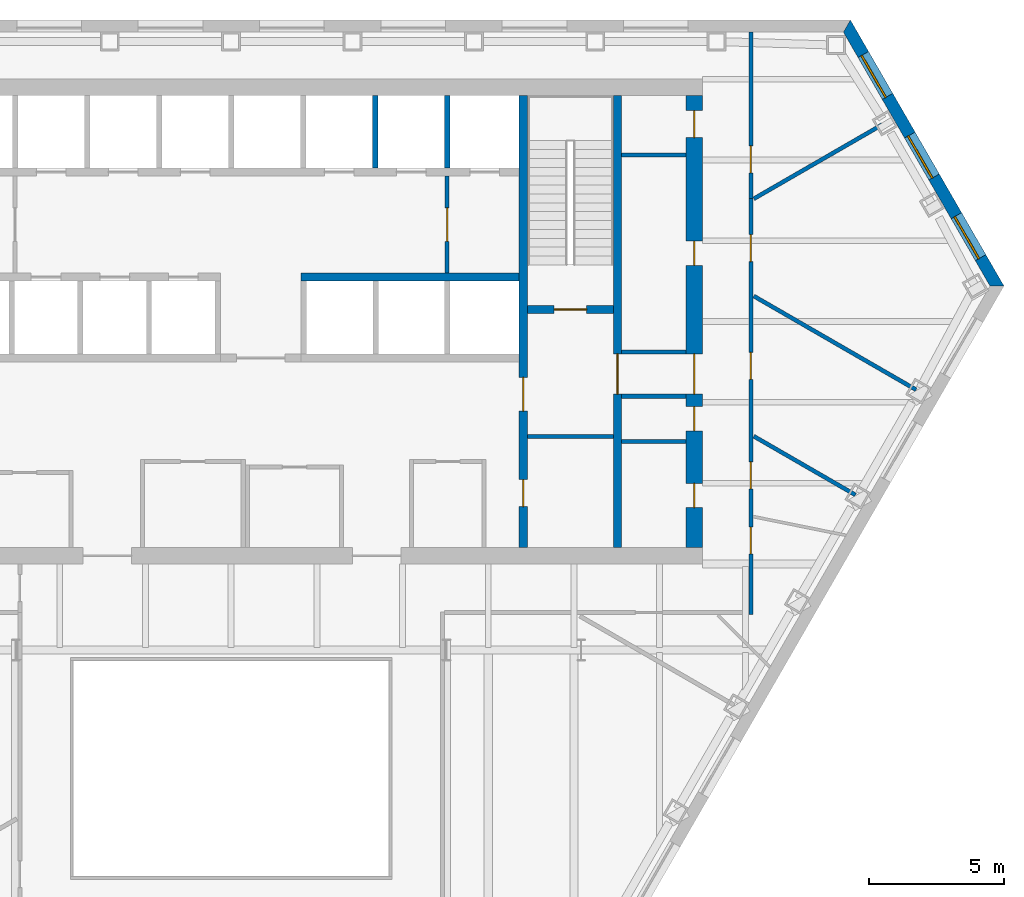
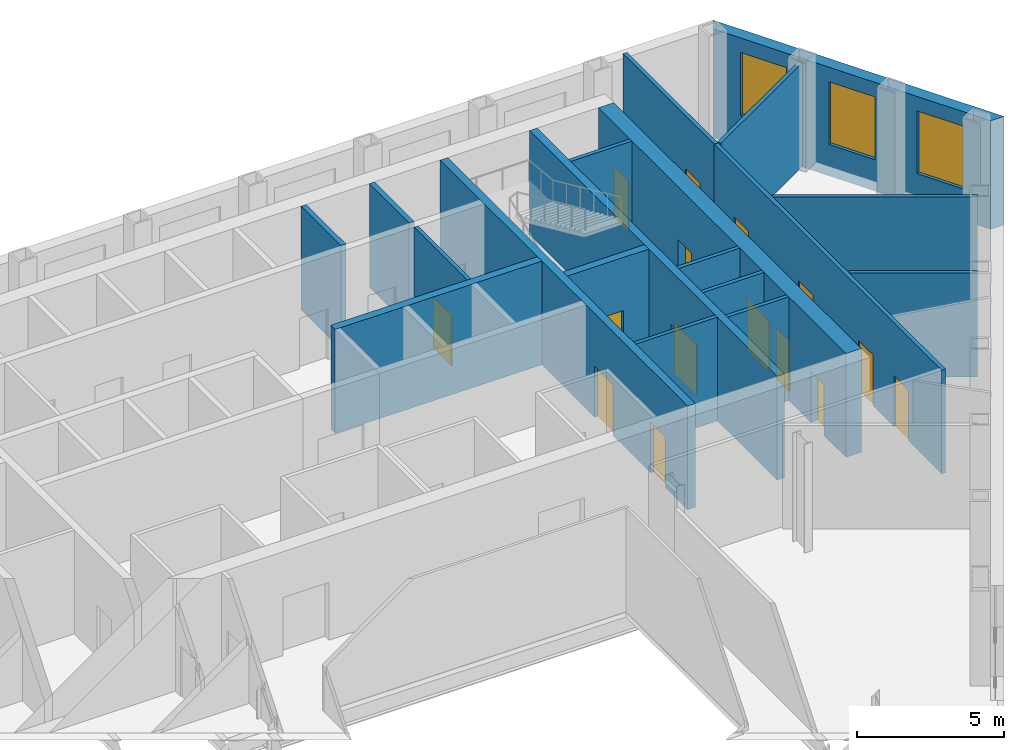
# One storey, part 8 of 11: 19 walls, 15 doors, 3 windows, 18 openings.
"""IFC4 building model written with IfcOpenShell, lengths in metres."""

from ifc_helpers import new_model, si_unit, direction, frame, frame_2d, origin, place, context, subcontext, project, spatial, polyline, rectangle, outline, extrude, material, layer, layer_set, type_object, element, fill, save


model = new_model("IFC4")

# Units and contexts
model_context = context("Model", 3, precision=1e-05, world=origin(), true_north=direction((0.0, 1.0)))
body_context = subcontext(model_context, "Body", "Model", "MODEL_VIEW")
ifc_project = project(units=[si_unit("LENGTHUNIT", "METRE"), si_unit("AREAUNIT", "SQUARE_METRE"), si_unit("VOLUMEUNIT", "CUBIC_METRE"), si_unit("PLANEANGLEUNIT", "RADIAN"), si_unit("MASSUNIT", "GRAM", prefix="KILO")], contexts=[model_context])

# Site, building, storey
site_placement = place(None, origin())
site = spatial("IfcSite", under=ifc_project, at=site_placement, CompositionType="ELEMENT")
building_placement = place(site_placement, origin())
building = spatial("IfcBuilding", under=site, at=building_placement, Name="Njiva Tower", CompositionType="ELEMENT")
storey_placement = place(building_placement, frame((0.0, 0.0, 46.8)))
storey = spatial("IfcBuildingStorey", under=building, at=storey_placement, Name="L09", CompositionType="ELEMENT", Elevation=46.8)

# Walls
ifc_material_1 = material(Name="Blockwork", Category="masonry")
ifc_layer_1 = layer(ifc_material_1, 0.15)
ifc_layer_set_1 = layer_set([ifc_layer_1], Name="Blockwork")
wall_type_1 = type_object("IfcWallType", Name="WT1 Compartment partition 150", PredefinedType="PARTITIONING", material=ifc_layer_set_1)
wall_1_placement = place(storey_placement, frame((11.0, 4.725, 0.0), z_axis=(0.0, 0.0, 1.0), x_axis=(1.0, 0.0, 0.0)))
element("IfcWall", 1, at=wall_1_placement, inside=storey, type_object=wall_type_1, Name="Room wall B", PredefinedType="PARTITIONING", context=body_context, shape_type="SweptSolid", body=[
    extrude(rectangle(XDim=3.2, YDim=0.15, at=frame_2d((1.6, 0.0))), origin(), (0.0, 0.0, 1.0), 4.3),
])
wall_2_placement = place(storey_placement, frame((14.5, 15.1914, 0.0), z_axis=(0.0, 0.0, 1.0), x_axis=(1.0, 0.0, 0.0)))
element("IfcWall", 2, at=wall_2_placement, inside=storey, type_object=wall_type_1, Name="Partition strip E10", PredefinedType="PARTITIONING", context=body_context, shape_type="SweptSolid", body=[
    extrude(rectangle(XDim=2.4, YDim=0.15, at=frame_2d((1.2, 0.0))), origin(), (0.0, 0.0, 1.0), 4.3),
])

# Wall, openings, doors
ifc_material_2 = material(Name="Concrete C40/50", Category="concrete")
ifc_layer_2 = layer(ifc_material_2, 0.3)
ifc_layer_set_2 = layer_set([ifc_layer_2], Name="Concrete C40/50")
wall_type_2 = type_object("IfcWallType", Name="WT10 Stair enclosure wall 300", PredefinedType="SHEAR", material=ifc_layer_set_2)
wall_3_placement = place(storey_placement, frame((10.85, 0.6, 0.0), z_axis=(0.0, 0.0, 1.0), x_axis=(0.0, 1.0, 0.0)))
wall_3 = element("IfcWall", 3, at=wall_3_placement, inside=storey, type_object=wall_type_2, Name="Stair wall east inner", PredefinedType="SHEAR", context=body_context, shape_type="SweptSolid", body=[
    extrude(rectangle(XDim=16.8, YDim=0.3, at=frame_2d((8.4, 0.0))), origin(), (0.0, 0.0, 1.0), 4.3),
])
opening_1_placement = place(wall_3_placement, frame((5.075, 0.0, 0.0)))
opening_1 = element("IfcOpeningElement", 4, at=opening_1_placement, cuts=wall_3, Name="Opening S03-D918", PredefinedType="OPENING", context=body_context, shape_type="SweptSolid", body=[
    extrude(rectangle(XDim=1.25, YDim=2.1, at=frame_2d((0.625, 1.05))), frame((0.0, 0.16, 0.0), z_axis=(0.0, -1.0, 0.0), x_axis=(1.0, 0.0, 0.0)), (0.0, 0.0, 1.0), 0.32),
])
opening_2_placement = place(wall_3_placement, frame((1.525, 0.0, 0.0)))
opening_2 = element("IfcOpeningElement", 5, at=opening_2_placement, cuts=wall_3, Name="Opening S03-D919", PredefinedType="OPENING", context=body_context, shape_type="SweptSolid", body=[
    extrude(rectangle(XDim=1.0, YDim=2.1, at=frame_2d((0.5, 1.05))), frame((0.0, 0.16, 0.0), z_axis=(0.0, -1.0, 0.0), x_axis=(1.0, 0.0, 0.0)), (0.0, 0.0, 1.0), 0.32),
])
ifc_material_3 = material(Name="Steel door, painted", Category="steel")
door_type_1 = type_object("IfcDoorType", Name="D5 Steel door 1000x2100", OperationType="SINGLE_SWING_LEFT", PredefinedType="DOOR", material=ifc_material_3)
door_1_placement = place(opening_2_placement, origin())
door_1 = element("IfcDoor", 6, at=door_1_placement, inside=storey, type_object=door_type_1, Name="Reading room door", OperationType="SINGLE_SWING_LEFT", OverallHeight=2.1, OverallWidth=1.0, PredefinedType="DOOR", context=body_context, shape_type="SweptSolid", body=[
    extrude(rectangle(XDim=1.0, YDim=2.1, at=frame_2d((0.5, 1.05))), frame((0.0, 0.025, 0.0), z_axis=(0.0, -1.0, 0.0), x_axis=(1.0, 0.0, 0.0)), (0.0, 0.0, 1.0), 0.05),
])
fill(opening_2, door_1)
ifc_material_4 = material(Name="Glazed steel fire door", Category="steel")
door_type_2 = type_object("IfcDoorType", Name="D8 Vestibule corridor door 1250x2100 glazed", OperationType="SINGLE_SWING_LEFT", PredefinedType="DOOR", material=ifc_material_4)
door_2_placement = place(opening_1_placement, origin())
door_2 = element("IfcDoor", 7, at=door_2_placement, inside=storey, type_object=door_type_2, Name="Stair vestibule corridor door", OperationType="SINGLE_SWING_RIGHT", OverallHeight=2.1, OverallWidth=1.25, PredefinedType="DOOR", context=body_context, shape_type="SweptSolid", body=[
    extrude(rectangle(XDim=1.25, YDim=2.1, at=frame_2d((0.625, 1.05))), frame((0.0, 0.025, 0.0), z_axis=(0.0, -1.0, 0.0), x_axis=(1.0, 0.0, 0.0)), (0.0, 0.0, 1.0), 0.05),
])
fill(opening_1, door_2)

# Wall, opening, door
wall_4_placement = place(storey_placement, frame((14.35, 0.6, 0.0), z_axis=(0.0, 0.0, 1.0), x_axis=(0.0, 1.0, 0.0)))
wall_4 = element("IfcWall", 8, at=wall_4_placement, inside=storey, type_object=wall_type_2, Name="Stair wall east outer", PredefinedType="SHEAR", context=body_context, shape_type="SweptSolid", body=[
    extrude(rectangle(XDim=16.8, YDim=0.3, at=frame_2d((8.4, 0.0))), origin(), (0.0, 0.0, 1.0), 4.3),
])
opening_3_placement = place(wall_4_placement, frame((5.7, 0.0, 0.0)))
opening_3 = element("IfcOpeningElement", 9, at=opening_3_placement, cuts=wall_4, Name="Opening S03-D926", PredefinedType="OPENING", context=body_context, shape_type="SweptSolid", body=[
    extrude(rectangle(XDim=1.5, YDim=2.1, at=frame_2d((0.75, 1.05))), frame((0.0, 0.16, 0.0), z_axis=(0.0, -1.0, 0.0), x_axis=(1.0, 0.0, 0.0)), (0.0, 0.0, 1.0), 0.32),
])
door_type_3 = type_object("IfcDoorType", Name="D10 Exit door double 1500x2100 glazed", OperationType="DOUBLE_DOOR_SINGLE_SWING", PredefinedType="DOOR", material=ifc_material_4)
door_3_placement = place(opening_3_placement, origin())
door_3 = element("IfcDoor", 10, at=door_3_placement, inside=storey, type_object=door_type_3, Name="Stair B passage door", OperationType="DOUBLE_DOOR_SINGLE_SWING", OverallHeight=2.1, OverallWidth=1.5, PredefinedType="DOOR", context=body_context, shape_type="SweptSolid", body=[
    extrude(rectangle(XDim=1.5, YDim=2.1, at=frame_2d((0.75, 1.05))), frame((0.0, 0.025, 0.0), z_axis=(0.0, -1.0, 0.0), x_axis=(1.0, 0.0, 0.0)), (0.0, 0.0, 1.0), 0.05),
])
fill(opening_3, door_3)

wall_5_placement = place(storey_placement, frame((11.0, 9.45, 0.0), z_axis=(0.0, 0.0, 1.0), x_axis=(1.0, 0.0, 0.0)))
wall_5 = element("IfcWall", 11, at=wall_5_placement, inside=storey, type_object=wall_type_2, Name="Stair B south wall", PredefinedType="SHEAR", context=body_context, shape_type="SweptSolid", body=[
    extrude(rectangle(XDim=3.2, YDim=0.3, at=frame_2d((1.6, 0.0))), origin(), (0.0, 0.0, 1.0), 4.3),
])
opening_4_placement = place(wall_5_placement, frame((1.0, 0.0, 0.0)))
opening_4 = element("IfcOpeningElement", 12, at=opening_4_placement, cuts=wall_5, Name="Opening S03-D917", PredefinedType="OPENING", context=body_context, shape_type="SweptSolid", body=[
    extrude(rectangle(XDim=1.2, YDim=2.1, at=frame_2d((0.6, 1.05))), frame((0.0, 0.16, 0.0), z_axis=(0.0, -1.0, 0.0), x_axis=(1.0, 0.0, 0.0)), (0.0, 0.0, 1.0), 0.32),
])
door_type_4 = type_object("IfcDoorType", Name="D7 Stair vestibule door 1200x2100 glazed", OperationType="SINGLE_SWING_LEFT", PredefinedType="DOOR", material=ifc_material_4)
door_4_placement = place(opening_4_placement, origin())
door_4 = element("IfcDoor", 13, at=door_4_placement, inside=storey, type_object=door_type_4, Name="Stair B door", OperationType="SINGLE_SWING_LEFT", OverallHeight=2.1, OverallWidth=1.2, PredefinedType="DOOR", context=body_context, shape_type="SweptSolid", body=[
    extrude(rectangle(XDim=1.2, YDim=2.1, at=frame_2d((0.6, 1.05))), frame((0.0, 0.025, 0.0), z_axis=(0.0, -1.0, 0.0), x_axis=(1.0, 0.0, 0.0)), (0.0, 0.0, 1.0), 0.05),
])
fill(opening_4, door_4)

# Wall, openings, doors
ifc_material_5 = material(Name="Concrete C60/75", Category="concrete")
ifc_layer_3 = layer(ifc_material_5, 0.6)
ifc_layer_set_3 = layer_set([ifc_layer_3], Name="Concrete C60/75")
wall_type_3 = type_object("IfcWallType", Name="WT15 Core wall 600", PredefinedType="SHEAR", material=ifc_layer_set_3)
wall_6_placement = place(storey_placement, frame((17.2, 0.6, 0.0), z_axis=(0.0, 0.0, 1.0), x_axis=(0.0, 1.0, 0.0)))
wall_6 = element("IfcWall", 14, at=wall_6_placement, inside=storey, type_object=wall_type_3, Name="Core wall east", PredefinedType="SHEAR", context=body_context, shape_type="SweptSolid", body=[
    extrude(rectangle(XDim=16.8, YDim=0.6, at=frame_2d((8.4, 0.0))), origin(), (0.0, 0.0, 1.0), 4.3),
])
opening_5_placement = place(wall_6_placement, frame((5.7, 0.0, 0.0)))
opening_5 = element("IfcOpeningElement", 15, at=opening_5_placement, cuts=wall_6, Name="Opening S03-D927", PredefinedType="OPENING", context=body_context, shape_type="SweptSolid", body=[
    extrude(rectangle(XDim=1.5, YDim=2.1, at=frame_2d((0.75, 1.05))), frame((0.0, 0.31, 0.0), z_axis=(0.0, -1.0, 0.0), x_axis=(1.0, 0.0, 0.0)), (0.0, 0.0, 1.0), 0.62),
])
opening_6_placement = place(wall_6_placement, frame((1.4885, 0.0, 0.0)))
opening_6 = element("IfcOpeningElement", 16, at=opening_6_placement, cuts=wall_6, Name="Opening S03-D928", PredefinedType="OPENING", context=body_context, shape_type="SweptSolid", body=[
    extrude(rectangle(XDim=0.9, YDim=2.1, at=frame_2d((0.45, 1.05))), frame((0.0, 0.31, 0.0), z_axis=(0.0, -1.0, 0.0), x_axis=(1.0, 0.0, 0.0)), (0.0, 0.0, 1.0), 0.62),
])
opening_7_placement = place(wall_6_placement, frame((4.3385, 0.0, 0.0)))
opening_7 = element("IfcOpeningElement", 17, at=opening_7_placement, cuts=wall_6, Name="Opening S03-D929", PredefinedType="OPENING", context=body_context, shape_type="SweptSolid", body=[
    extrude(rectangle(XDim=0.9, YDim=2.1, at=frame_2d((0.45, 1.05))), frame((0.0, 0.31, 0.0), z_axis=(0.0, -1.0, 0.0), x_axis=(1.0, 0.0, 0.0)), (0.0, 0.0, 1.0), 0.62),
])
opening_8_placement = place(wall_6_placement, frame((10.4832, 0.0, 0.0)))
opening_8 = element("IfcOpeningElement", 18, at=opening_8_placement, cuts=wall_6, Name="Opening S03-D930", PredefinedType="OPENING", context=body_context, shape_type="SweptSolid", body=[
    extrude(rectangle(XDim=0.9, YDim=2.1, at=frame_2d((0.45, 1.05))), frame((0.0, 0.31, 0.0), z_axis=(0.0, -1.0, 0.0), x_axis=(1.0, 0.0, 0.0)), (0.0, 0.0, 1.0), 0.62),
])
opening_9_placement = place(wall_6_placement, frame((15.2332, 0.0, 0.0)))
opening_9 = element("IfcOpeningElement", 19, at=opening_9_placement, cuts=wall_6, Name="Opening S03-D931", PredefinedType="OPENING", context=body_context, shape_type="SweptSolid", body=[
    extrude(rectangle(XDim=1.0, YDim=2.1, at=frame_2d((0.5, 1.05))), frame((0.0, 0.31, 0.0), z_axis=(0.0, -1.0, 0.0), x_axis=(1.0, 0.0, 0.0)), (0.0, 0.0, 1.0), 0.62),
])
door_5_placement = place(opening_5_placement, origin())
door_5 = element("IfcDoor", 20, at=door_5_placement, inside=storey, type_object=door_type_3, Name="Stair B corridor door", OperationType="DOUBLE_DOOR_SINGLE_SWING", OverallHeight=2.1, OverallWidth=1.5, PredefinedType="DOOR", context=body_context, shape_type="SweptSolid", body=[
    extrude(rectangle(XDim=1.5, YDim=2.1, at=frame_2d((0.75, 1.05))), frame((0.0, 0.025, 0.0), z_axis=(0.0, -1.0, 0.0), x_axis=(1.0, 0.0, 0.0)), (0.0, 0.0, 1.0), 0.05),
])
fill(opening_5, door_5)
door_type_5 = type_object("IfcDoorType", Name="D4 Riser door 900x2100", OperationType="SINGLE_SWING_LEFT", PredefinedType="DOOR", material=ifc_material_3)
door_6_placement = place(opening_7_placement, origin())
door_6 = element("IfcDoor", 21, at=door_6_placement, inside=storey, type_object=door_type_5, Name="Riser door", OperationType="SINGLE_SWING_LEFT", OverallHeight=2.1, OverallWidth=0.9, PredefinedType="DOOR", context=body_context, shape_type="SweptSolid", body=[
    extrude(rectangle(XDim=0.9, YDim=2.1, at=frame_2d((0.45, 1.05))), frame((0.0, 0.025, 0.0), z_axis=(0.0, -1.0, 0.0), x_axis=(1.0, 0.0, 0.0)), (0.0, 0.0, 1.0), 0.05),
])
fill(opening_7, door_6)
door_7_placement = place(opening_9_placement, origin())
door_7 = element("IfcDoor", 22, at=door_7_placement, inside=storey, type_object=door_type_1, Name="Telecoms room door", OperationType="SINGLE_SWING_LEFT", OverallHeight=2.1, OverallWidth=1.0, PredefinedType="DOOR", context=body_context, shape_type="SweptSolid", body=[
    extrude(rectangle(XDim=1.0, YDim=2.1, at=frame_2d((0.5, 1.05))), frame((0.0, 0.025, 0.0), z_axis=(0.0, -1.0, 0.0), x_axis=(1.0, 0.0, 0.0)), (0.0, 0.0, 1.0), 0.05),
])
fill(opening_9, door_7)
ifc_material_6 = material(Name="Steel fire door, painted", Category="steel")
door_type_6 = type_object("IfcDoorType", Name="D6 Fire-rated door 900x2100", OperationType="SINGLE_SWING_LEFT", PredefinedType="DOOR", material=ifc_material_6)
door_8_placement = place(opening_6_placement, origin())
door_8 = element("IfcDoor", 23, at=door_8_placement, inside=storey, type_object=door_type_6, Name="Reading room door", OperationType="SINGLE_SWING_RIGHT", OverallHeight=2.1, OverallWidth=0.9, PredefinedType="DOOR", context=body_context, shape_type="SweptSolid", body=[
    extrude(rectangle(XDim=0.9, YDim=2.1, at=frame_2d((0.45, 1.05))), frame((0.0, 0.025, 0.0), z_axis=(0.0, -1.0, 0.0), x_axis=(1.0, 0.0, 0.0)), (0.0, 0.0, 1.0), 0.05),
])
fill(opening_6, door_8)
door_9_placement = place(opening_8_placement, origin())
door_9 = element("IfcDoor", 24, at=door_9_placement, inside=storey, type_object=door_type_6, Name="Tenant centre door", OperationType="SINGLE_SWING_LEFT", OverallHeight=2.1, OverallWidth=0.9, PredefinedType="DOOR", context=body_context, shape_type="SweptSolid", body=[
    extrude(rectangle(XDim=0.9, YDim=2.1, at=frame_2d((0.45, 1.05))), frame((0.0, 0.025, 0.0), z_axis=(0.0, -1.0, 0.0), x_axis=(1.0, 0.0, 0.0)), (0.0, 0.0, 1.0), 0.05),
])
fill(opening_8, door_9)

# Wall, opening, door
ifc_layer_4 = layer(ifc_material_1, 0.15)
ifc_layer_set_4 = layer_set([ifc_layer_4], Name="Blockwork")
wall_type_4 = type_object("IfcWallType", Name="WT2 Lobby partition 150", PredefinedType="PARTITIONING", material=ifc_layer_set_4)
wall_7_placement = place(storey_placement, frame((8.025, 10.8, 0.0), z_axis=(0.0, 0.0, 1.0), x_axis=(0.0, 1.0, 0.0)))
wall_7 = element("IfcWall", 25, at=wall_7_placement, inside=storey, type_object=wall_type_4, Name="Firefighting lobby wall B", PredefinedType="PARTITIONING", context=body_context, shape_type="SweptSolid", body=[
    extrude(rectangle(XDim=3.6, YDim=0.15, at=frame_2d((1.8, 0.0))), origin(), (0.0, 0.0, 1.0), 4.3),
])
opening_10_placement = place(wall_7_placement, frame((1.175, 0.0, 0.0)))
opening_10 = element("IfcOpeningElement", 26, at=opening_10_placement, cuts=wall_7, Name="Opening S03-D916", PredefinedType="OPENING", context=body_context, shape_type="SweptSolid", body=[
    extrude(rectangle(XDim=1.25, YDim=2.1, at=frame_2d((0.625, 1.05))), frame((0.0, 0.085, 0.0), z_axis=(0.0, -1.0, 0.0), x_axis=(1.0, 0.0, 0.0)), (0.0, 0.0, 1.0), 0.17),
])
door_10_placement = place(opening_10_placement, origin())
door_10 = element("IfcDoor", 27, at=door_10_placement, inside=storey, type_object=door_type_2, Name="Stair vestibule corridor door", OperationType="SINGLE_SWING_LEFT", OverallHeight=2.1, OverallWidth=1.25, PredefinedType="DOOR", context=body_context, shape_type="SweptSolid", body=[
    extrude(rectangle(XDim=1.25, YDim=2.1, at=frame_2d((0.625, 1.05))), frame((0.0, 0.025, 0.0), z_axis=(0.0, -1.0, 0.0), x_axis=(1.0, 0.0, 0.0)), (0.0, 0.0, 1.0), 0.05),
])
fill(opening_10, door_10)

# Wall, openings, doors
ifc_material_7 = material(Name="Gypsum board on steel studs", Category="gypsum")
ifc_layer_5 = layer(ifc_material_7, 0.15)
ifc_layer_set_5 = layer_set([ifc_layer_5], Name="Gypsum board on steel studs")
wall_type_5 = type_object("IfcWallType", Name="WT21 Compartment wall 150", PredefinedType="PARTITIONING", material=ifc_layer_set_5)
wall_8_placement = place(storey_placement, frame((19.3, -1.875, 0.0), z_axis=(0.0, 0.0, 1.0), x_axis=(6.4750065e-05, 0.999999997904, 0.0)))
wall_8 = element("IfcWall", 28, at=wall_8_placement, inside=storey, type_object=wall_type_5, Name="Partition S03-P016", PredefinedType="PARTITIONING", context=body_context, shape_type="SweptSolid", body=[
    extrude(rectangle(XDim=15.444, YDim=0.15, at=frame_2d((7.722, 0.0))), origin(), (0.0, 0.0, 1.0), 4.3),
])
opening_11_placement = place(wall_8_placement, frame((2.242, 0.0, 0.0)))
opening_11 = element("IfcOpeningElement", 29, at=opening_11_placement, cuts=wall_8, Name="Opening S03-D009", PredefinedType="OPENING", context=body_context, shape_type="SweptSolid", body=[
    extrude(rectangle(XDim=1.0, YDim=2.1, at=frame_2d((0.5, 1.05))), frame((0.0, 0.085, 0.0), z_axis=(0.0, -1.0, 0.0), x_axis=(1.0, 0.0, 0.0)), (0.0, 0.0, 1.0), 0.17),
])
opening_12_placement = place(wall_8_placement, frame((4.664, 0.0, 0.0)))
opening_12 = element("IfcOpeningElement", 30, at=opening_12_placement, cuts=wall_8, Name="Opening S03-D010", PredefinedType="OPENING", context=body_context, shape_type="SweptSolid", body=[
    extrude(rectangle(XDim=1.0, YDim=2.1, at=frame_2d((0.5, 1.05))), frame((0.0, 0.085, 0.0), z_axis=(0.0, -1.0, 0.0), x_axis=(1.0, 0.0, 0.0)), (0.0, 0.0, 1.0), 0.17),
])
opening_13_placement = place(wall_8_placement, frame((8.732, 0.0, 0.0)))
opening_13 = element("IfcOpeningElement", 31, at=opening_13_placement, cuts=wall_8, Name="Opening S03-D011", PredefinedType="OPENING", context=body_context, shape_type="SweptSolid", body=[
    extrude(rectangle(XDim=1.0, YDim=2.1, at=frame_2d((0.5, 1.05))), frame((0.0, 0.085, 0.0), z_axis=(0.0, -1.0, 0.0), x_axis=(1.0, 0.0, 0.0)), (0.0, 0.0, 1.0), 0.17),
])
opening_14_placement = place(wall_8_placement, frame((13.102, 0.0, 0.0)))
opening_14 = element("IfcOpeningElement", 32, at=opening_14_placement, cuts=wall_8, Name="Opening S03-D012", PredefinedType="OPENING", context=body_context, shape_type="SweptSolid", body=[
    extrude(rectangle(XDim=1.0, YDim=2.1, at=frame_2d((0.5, 1.05))), frame((0.0, 0.085, 0.0), z_axis=(0.0, -1.0, 0.0), x_axis=(1.0, 0.0, 0.0)), (0.0, 0.0, 1.0), 0.17),
])
ifc_material_8 = material(Name="Steel fire door set", Category="steel")
door_type_7 = type_object("IfcDoorType", Name="D37 Fire door 1000x2100", OperationType="SINGLE_SWING_LEFT", PredefinedType="DOOR", material=ifc_material_8)
door_11_placement = place(opening_11_placement, origin())
door_11 = element("IfcDoor", 33, at=door_11_placement, inside=storey, type_object=door_type_7, Name="Door S03-D009", OperationType="SINGLE_SWING_LEFT", OverallHeight=2.1, OverallWidth=1.0, PredefinedType="DOOR", context=body_context, shape_type="SweptSolid", body=[
    extrude(rectangle(XDim=1.0, YDim=2.1, at=frame_2d((0.5, 1.05))), frame((0.0, 0.025, 0.0), z_axis=(0.0, -1.0, 0.0), x_axis=(1.0, 0.0, 0.0)), (0.0, 0.0, 1.0), 0.05),
])
fill(opening_11, door_11)
door_12_placement = place(opening_12_placement, origin())
door_12 = element("IfcDoor", 34, at=door_12_placement, inside=storey, type_object=door_type_7, Name="Door S03-D010", OperationType="SINGLE_SWING_LEFT", OverallHeight=2.1, OverallWidth=1.0, PredefinedType="DOOR", context=body_context, shape_type="SweptSolid", body=[
    extrude(rectangle(XDim=1.0, YDim=2.1, at=frame_2d((0.5, 1.05))), frame((0.0, 0.025, 0.0), z_axis=(0.0, -1.0, 0.0), x_axis=(1.0, 0.0, 0.0)), (0.0, 0.0, 1.0), 0.05),
])
fill(opening_12, door_12)
door_13_placement = place(opening_13_placement, origin())
door_13 = element("IfcDoor", 35, at=door_13_placement, inside=storey, type_object=door_type_7, Name="Door S03-D011", OperationType="SINGLE_SWING_RIGHT", OverallHeight=2.1, OverallWidth=1.0, PredefinedType="DOOR", context=body_context, shape_type="SweptSolid", body=[
    extrude(rectangle(XDim=1.0, YDim=2.1, at=frame_2d((0.5, 1.05))), frame((0.0, 0.025, 0.0), z_axis=(0.0, -1.0, 0.0), x_axis=(1.0, 0.0, 0.0)), (0.0, 0.0, 1.0), 0.05),
])
fill(opening_13, door_13)
door_14_placement = place(opening_14_placement, origin())
door_14 = element("IfcDoor", 36, at=door_14_placement, inside=storey, type_object=door_type_7, Name="Door S03-D012", OperationType="SINGLE_SWING_RIGHT", OverallHeight=2.1, OverallWidth=1.0, PredefinedType="DOOR", context=body_context, shape_type="SweptSolid", body=[
    extrude(rectangle(XDim=1.0, YDim=2.1, at=frame_2d((0.5, 1.05))), frame((0.0, 0.025, 0.0), z_axis=(0.0, -1.0, 0.0), x_axis=(1.0, 0.0, 0.0)), (0.0, 0.0, 1.0), 0.05),
])
fill(opening_14, door_14)

# Wall, opening, door
wall_9_placement = place(storey_placement, frame((19.3, 19.749, 0.0), z_axis=(0.0, 0.0, 1.0), x_axis=(0.000161812296, -0.999999986908, 0.0)))
wall_9 = element("IfcWall", 37, at=wall_9_placement, inside=storey, type_object=wall_type_5, Name="Partition S03-P017", PredefinedType="PARTITIONING", context=body_context, shape_type="SweptSolid", body=[
    extrude(rectangle(XDim=6.18, YDim=0.15, at=frame_2d((3.09, 0.0))), origin(), (0.0, 0.0, 1.0), 4.3),
])
opening_15_placement = place(wall_9_placement, frame((4.225, 0.0, 0.0)))
opening_15 = element("IfcOpeningElement", 38, at=opening_15_placement, cuts=wall_9, Name="Opening S03-D013", PredefinedType="OPENING", context=body_context, shape_type="SweptSolid", body=[
    extrude(rectangle(XDim=1.0, YDim=2.1, at=frame_2d((0.5, 1.05))), frame((0.0, 0.085, 0.0), z_axis=(0.0, -1.0, 0.0), x_axis=(1.0, 0.0, 0.0)), (0.0, 0.0, 1.0), 0.17),
])
door_15_placement = place(opening_15_placement, origin())
door_15 = element("IfcDoor", 39, at=door_15_placement, inside=storey, type_object=door_type_7, Name="Door S03-D013", OperationType="SINGLE_SWING_LEFT", OverallHeight=2.1, OverallWidth=1.0, PredefinedType="DOOR", context=body_context, shape_type="SweptSolid", body=[
    extrude(rectangle(XDim=1.0, YDim=2.1, at=frame_2d((0.5, 1.05))), frame((0.0, 0.025, 0.0), z_axis=(0.0, -1.0, 0.0), x_axis=(1.0, 0.0, 0.0)), (0.0, 0.0, 1.0), 0.05),
])
fill(opening_15, door_15)

# Walls
wall_10_placement = place(storey_placement, frame((19.413, 4.74, 0.0), z_axis=(0.0, 0.0, 1.0), x_axis=(0.866017446268, -0.50001378257, 0.0)))
element("IfcWall", 40, at=wall_10_placement, inside=storey, type_object=wall_type_5, Name="Partition S03-P019", PredefinedType="PARTITIONING", context=body_context, shape_type="SweptSolid", body=[
    extrude(rectangle(XDim=4.3579, YDim=0.15, at=frame_2d((2.179, 0.0))), origin(), (0.0, 0.0, 1.0), 4.3),
])
wall_11_placement = place(storey_placement, frame((19.413, 9.946, 0.0), z_axis=(0.0, 0.0, 1.0), x_axis=(0.866042039906, -0.499971184285, 0.0)))
element("IfcWall", 41, at=wall_11_placement, inside=storey, type_object=wall_type_5, Name="Partition S03-P020", PredefinedType="PARTITIONING", context=body_context, shape_type="SweptSolid", body=[
    extrude(rectangle(XDim=6.9604, YDim=0.15, at=frame_2d((3.4802, 0.0))), origin(), (0.0, 0.0, 1.0), 4.3),
])
wall_12_placement = place(storey_placement, frame((19.413, 13.56, 0.0), z_axis=(0.0, 0.0, 1.0), x_axis=(0.866040948072, 0.499973075538, 0.0)))
element("IfcWall", 42, at=wall_12_placement, inside=storey, type_object=wall_type_5, Name="Partition S03-P021", PredefinedType="PARTITIONING", context=body_context, shape_type="SweptSolid", body=[
    extrude(rectangle(XDim=5.5263, YDim=0.15, at=frame_2d((2.7632, 0.0))), origin(), (0.0, 0.0, 1.0), 4.3),
])
ifc_layer_6 = layer(ifc_material_1, 0.15)
ifc_layer_set_6 = layer_set([ifc_layer_6], Name="Blockwork")
wall_type_6 = type_object("IfcWallType", Name="WT3 Riser partition 150", PredefinedType="PARTITIONING", material=ifc_layer_set_6)
wall_13_placement = place(storey_placement, frame((14.5, 4.5519, 0.0), z_axis=(0.0, 0.0, 1.0), x_axis=(1.0, 0.0, 0.0)))
element("IfcWall", 43, at=wall_13_placement, inside=storey, type_object=wall_type_6, Name="Partition strip E00", PredefinedType="PARTITIONING", context=body_context, shape_type="SweptSolid", body=[
    extrude(rectangle(XDim=2.4, YDim=0.15, at=frame_2d((1.2, 0.0))), origin(), (0.0, 0.0, 1.0), 4.3),
])
ifc_layer_7 = layer(ifc_material_1, 0.15)
ifc_layer_set_7 = layer_set([ifc_layer_7], Name="Blockwork")
wall_type_7 = type_object("IfcWallType", Name="WT4 Stair partition 150", PredefinedType="PARTITIONING", material=ifc_layer_set_7)
for number, where, z_axis, x_axis, name in (
    (44, (14.5, 6.225, 0.0), (0.0, 0.0, 1.0), (1.0, 0.0, 0.0), "Stair B exit passage wall south"),
    (45, (14.5, 7.875, 0.0), (0.0, 0.0, 1.0), (1.0, 0.0, 0.0), "Stair B exit passage wall north"),
):
    element("IfcWall", number, at=place(storey_placement, frame(where, z_axis=z_axis, x_axis=x_axis)), inside=storey, type_object=wall_type_7, Name=name, PredefinedType="PARTITIONING", context=body_context, shape_type="SweptSolid", body=[
        extrude(rectangle(XDim=2.4, YDim=0.15, at=frame_2d((1.2, 0.0))), origin(), (0.0, 0.0, 1.0), 4.3),
    ])
ifc_layer_8 = layer(ifc_material_2, 0.2)
ifc_layer_set_8 = layer_set([ifc_layer_8], Name="Concrete C40/50")
wall_type_8 = type_object("IfcWallType", Name="WT6 Lift shaft wall 200", PredefinedType="SHEAR", material=ifc_layer_set_8)
for number, where, z_axis, x_axis, name in (
    (46, (5.35, 14.7, 0.0), (0.0, 0.0, 1.0), (0.0, 1.0, 0.0), "Shaft wall CN6"),
    (47, (8.025, 14.7, 0.0), (0.0, 0.0, 1.0), (0.0, 1.0, 0.0), "Shaft wall CN7"),
):
    element("IfcWall", number, at=place(storey_placement, frame(where, z_axis=z_axis, x_axis=x_axis)), inside=storey, type_object=wall_type_8, Name=name, PredefinedType="SHEAR", context=body_context, shape_type="SweptSolid", body=[
        extrude(rectangle(XDim=2.7, YDim=0.2, at=frame_2d((1.35, 0.0))), origin(), (0.0, 0.0, 1.0), 4.3),
    ])
ifc_layer_9 = layer(ifc_material_2, 0.3)
ifc_layer_set_9 = layer_set([ifc_layer_9], Name="Concrete C40/50")
wall_type_9 = type_object("IfcWallType", Name="WT7 Lift shaft wall 300", PredefinedType="SHEAR", material=ifc_layer_set_9)
wall_14_placement = place(storey_placement, frame((2.6, 10.65, 0.0), z_axis=(0.0, 0.0, 1.0), x_axis=(1.0, 0.0, 0.0)))
element("IfcWall", 48, at=wall_14_placement, inside=storey, type_object=wall_type_9, Name="Shaft wall south row lobby side E", PredefinedType="SHEAR", context=body_context, shape_type="SweptSolid", body=[
    extrude(rectangle(XDim=8.1, YDim=0.3, at=frame_2d((4.05, 0.0))), origin(), (0.0, 0.0, 1.0), 4.3),
])

# Wall, openings, windows
ifc_material_9 = material(Name="Brick masonry, buff", Category="masonry")
ifc_layer_10 = layer(ifc_material_9, 0.45)
ifc_layer_set_10 = layer_set([ifc_layer_10], Name="Brick masonry, buff")
wall_type_10 = type_object("IfcWallType", Name="WT94 Brick pier and spandrel wall 450, buff", PredefinedType="SOLIDWALL", material=ifc_layer_set_10)
wall_15_placement = place(storey_placement, frame((28.4452, 10.3187, -0.4), z_axis=(0.0, 0.0, 1.0), x_axis=(-0.500002192499, 0.866024137941, 0.0)))
wall_15 = element("IfcWall", 49, at=wall_15_placement, inside=storey, type_object=wall_type_10, Name="Facade wall NE", PredefinedType="SOLIDWALL", context=body_context, shape_type="SweptSolid", body=[
    extrude(outline(polyline([(-0.1299, -0.225), (11.2801, -0.225), (11.0203, 0.225), (0.1299, 0.225), (-0.1299, -0.225)])), origin(), (0.0, 0.0, 1.0), 4.5),
])
opening_16_placement = place(wall_15_placement, frame((1.2181, 0.0, 1.3)))
opening_16 = element("IfcOpeningElement", 50, at=opening_16_placement, cuts=wall_15, Name="Opening S03-W33", PredefinedType="OPENING", context=body_context, shape_type="SweptSolid", body=[
    extrude(rectangle(XDim=1.8, YDim=2.6, at=frame_2d((0.9, 1.3))), frame((0.0, 0.235, 0.0), z_axis=(0.0, -1.0, 0.0), x_axis=(1.0, 0.0, 0.0)), (0.0, 0.0, 1.0), 0.47),
])
opening_17_placement = place(wall_15_placement, frame((4.6751, 0.0, 1.3)))
opening_17 = element("IfcOpeningElement", 51, at=opening_17_placement, cuts=wall_15, Name="Opening S03-W34", PredefinedType="OPENING", context=body_context, shape_type="SweptSolid", body=[
    extrude(rectangle(XDim=1.8, YDim=2.6, at=frame_2d((0.9, 1.3))), frame((0.0, 0.235, 0.0), z_axis=(0.0, -1.0, 0.0), x_axis=(1.0, 0.0, 0.0)), (0.0, 0.0, 1.0), 0.47),
])
opening_18_placement = place(wall_15_placement, frame((8.1321, 0.0, 1.3)))
opening_18 = element("IfcOpeningElement", 52, at=opening_18_placement, cuts=wall_15, Name="Opening S03-W35", PredefinedType="OPENING", context=body_context, shape_type="SweptSolid", body=[
    extrude(rectangle(XDim=1.8, YDim=2.6, at=frame_2d((0.9, 1.3))), frame((0.0, 0.235, 0.0), z_axis=(0.0, -1.0, 0.0), x_axis=(1.0, 0.0, 0.0)), (0.0, 0.0, 1.0), 0.47),
])
ifc_material_10 = material(Name="Clear glazing in aluminium frame", Category="aluminium")
window_type = type_object("IfcWindowType", Name="W96 Deep-set window 1800x2600", PartitioningType="SINGLE_PANEL", PredefinedType="WINDOW", material=ifc_material_10)
window_1_placement = place(opening_16_placement, origin())
window_1 = element("IfcWindow", 53, at=window_1_placement, inside=storey, type_object=window_type, Name="Window", OverallHeight=2.6, OverallWidth=1.8, PartitioningType="SINGLE_PANEL", PredefinedType="WINDOW", context=body_context, shape_type="SweptSolid", body=[
    extrude(rectangle(XDim=1.8, YDim=2.6, at=frame_2d((0.9, 1.3))), frame((0.0, 0.105, 0.0), z_axis=(0.0, -1.0, 0.0), x_axis=(1.0, 0.0, 0.0)), (0.0, 0.0, 1.0), 0.06),
])
fill(opening_16, window_1)
window_2_placement = place(opening_17_placement, origin())
window_2 = element("IfcWindow", 54, at=window_2_placement, inside=storey, type_object=window_type, Name="Window", OverallHeight=2.6, OverallWidth=1.8, PartitioningType="SINGLE_PANEL", PredefinedType="WINDOW", context=body_context, shape_type="SweptSolid", body=[
    extrude(rectangle(XDim=1.8, YDim=2.6, at=frame_2d((0.9, 1.3))), frame((0.0, 0.105, 0.0), z_axis=(0.0, -1.0, 0.0), x_axis=(1.0, 0.0, 0.0)), (0.0, 0.0, 1.0), 0.06),
])
fill(opening_17, window_2)
window_3_placement = place(opening_18_placement, origin())
window_3 = element("IfcWindow", 55, at=window_3_placement, inside=storey, type_object=window_type, Name="Window", OverallHeight=2.6, OverallWidth=1.8, PartitioningType="SINGLE_PANEL", PredefinedType="WINDOW", context=body_context, shape_type="SweptSolid", body=[
    extrude(rectangle(XDim=1.8, YDim=2.6, at=frame_2d((0.9, 1.3))), frame((0.0, 0.105, 0.0), z_axis=(0.0, -1.0, 0.0), x_axis=(1.0, 0.0, 0.0)), (0.0, 0.0, 1.0), 0.06),
])
fill(opening_18, window_3)

save(model, "model.ifc")
